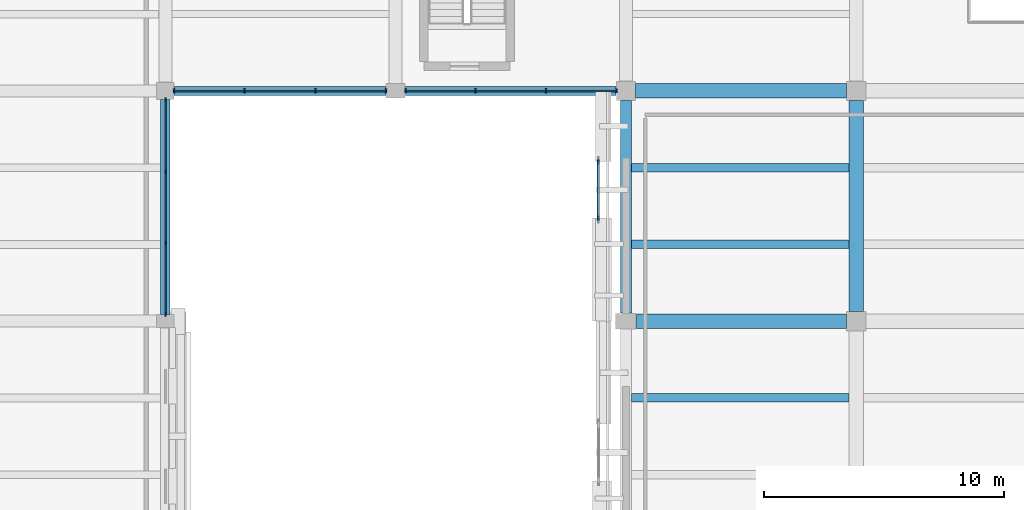
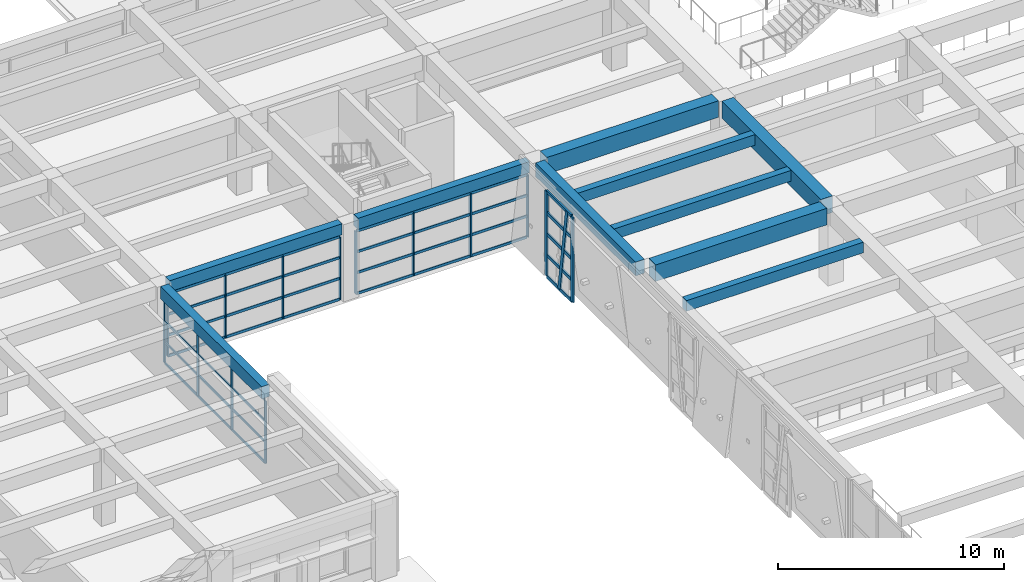
# One storey, part 9 of 49: 32 members, 10 beams, 4 elements without a shape of their own.
"""IFC4 building model written with IfcOpenShell, lengths in metres."""

from ifc_helpers import new_model, si_unit, direction, frame, origin, origin_2d, place, context, subcontext, project, spatial, rectangle, extrude, material, layer, layer_set, material_profile, profile_set, type_object, element, aggregate, save


model = new_model("IFC4")

# Units and contexts
model_context = context("Model", 3, precision=1e-05, world=origin(), true_north=direction((0.0, 1.0)))
body_context = subcontext(model_context, "Body", "Model", "MODEL_VIEW")
ifc_project = project(units=[si_unit("LENGTHUNIT", "METRE"), si_unit("AREAUNIT", "SQUARE_METRE"), si_unit("VOLUMEUNIT", "CUBIC_METRE"), si_unit("PLANEANGLEUNIT", "RADIAN"), si_unit("MASSUNIT", "GRAM", prefix="KILO")], contexts=[model_context])

# Site, building, storey
site_placement = place(None, origin())
site = spatial("IfcSite", under=ifc_project, at=site_placement, CompositionType="ELEMENT")
building_placement = place(site_placement, origin())
building = spatial("IfcBuilding", under=site, at=building_placement, Name="Bempovik Park Faculty of Sciences", CompositionType="ELEMENT")
storey_placement = place(building_placement, frame((0.0, 0.0, 5.39990234375)))
storey = spatial("IfcBuildingStorey", under=building, at=storey_placement, Name="L01", CompositionType="ELEMENT", Elevation=5.39990234375)

# Beams
ifc_material_1 = material(Name="Concrete C35/45", Category="concrete")
ifc_material_profile_1 = material_profile(ifc_material_1, rectangle(XDim=0.3798828125, YDim=0.60009765625, at=origin_2d()), Name="RC 380x600")
ifc_profile_set_1 = profile_set([ifc_material_profile_1], Name="Concrete C35/45")
beam_type_1 = type_object("IfcBeamType", Name="B-032 RC 380x600", PredefinedType="SPANDREL", material=ifc_profile_set_1)
beam_1_placement = place(storey_placement, frame((41.166015625, 67.800048828125, 3.880126953125), z_axis=(1.0, 0.0, 0.0), x_axis=(0.0, 1.0, 0.0)))
element("IfcBeam", 1, at=beam_1_placement, inside=storey, type_object=beam_type_1, Name="L01 Beam X (40.8-50.4, y=67.8)", PredefinedType="SPANDREL", context=body_context, shape_type="SweptSolid", body=[
    extrude(rectangle(XDim=0.3798828125, YDim=0.60009765625, at=origin_2d()), origin(), (0.0, 0.0, 1.0), 8.827880859375),
])
beam_2_placement = place(storey_placement, frame((50.805908203125, 67.800048828125, 3.880126953125), z_axis=(1.0, 0.0, 0.0), x_axis=(0.0, 1.0, 0.0)))
element("IfcBeam", 2, at=beam_2_placement, inside=storey, type_object=beam_type_1, Name="L01 Beam X (50.4-60.0, y=67.8)", PredefinedType="SPANDREL", context=body_context, shape_type="SweptSolid", body=[
    extrude(rectangle(XDim=0.3798828125, YDim=0.60009765625, at=origin_2d()), origin(), (0.0, 0.0, 1.0), 8.7880859375),
])
ifc_material_profile_2 = material_profile(ifc_material_1, rectangle(XDim=0.39990234375, YDim=0.659912109375, at=origin_2d()), Name="RC 400x660")
ifc_profile_set_2 = profile_set([ifc_material_profile_2], Name="Concrete C35/45")
beam_type_2 = type_object("IfcBeamType", Name="B-097 RC 400x660", PredefinedType="SPANDREL", material=ifc_profile_set_2)
beam_3_placement = place(storey_placement, frame((40.800048828125, 58.47607421875, 3.85009765625), z_axis=(0.0, 1.0, 0.0), x_axis=(-1.0, 0.0, 0.0)))
element("IfcBeam", 3, at=beam_3_placement, inside=storey, type_object=beam_type_2, Name="L01 Beam Y (x=40.8, 58.2-67.8)", PredefinedType="SPANDREL", context=body_context, shape_type="SweptSolid", body=[
    extrude(rectangle(XDim=0.39990234375, YDim=0.659912109375, at=origin_2d()), origin(), (0.0, 0.0, 1.0), 8.9580078125),
])
ifc_material_profile_3 = material_profile(ifc_material_1, rectangle(XDim=0.35009765625, YDim=0.580078125, at=origin_2d()), Name="RC 350x580")
ifc_profile_set_3 = profile_set([ifc_material_profile_3], Name="Concrete C35/45")
beam_type_3 = type_object("IfcBeamType", Name="B-107 RC 350x580", PredefinedType="JOIST", material=ifc_profile_set_3)
for number, where, z_axis, x_axis, name in (
    (4, (60.23095703125, 55.0, 3.89013671875), (1.0, 0.0, 0.0), (0.0, 1.0, 0.0), "L01 Secondary Joist (60.0-69.6, y=55.00)"),
    (5, (60.23095703125, 61.39990234375, 3.89013671875), (1.0, 0.0, 0.0), (0.0, 1.0, 0.0), "L01 Secondary Joist (60.0-69.6, y=61.40)"),
    (6, (60.23095703125, 64.60009765625, 3.89013671875), (1.0, 0.0, 0.0), (0.0, 1.0, 0.0), "L01 Secondary Joist (60.0-69.6, y=64.60)"),
):
    element("IfcBeam", number, at=place(storey_placement, frame(where, z_axis=z_axis, x_axis=x_axis)), inside=storey, type_object=beam_type_3, Name=name, PredefinedType="JOIST", context=body_context, shape_type="SweptSolid", body=[
        extrude(rectangle(XDim=0.35009765625, YDim=0.580078125, at=origin_2d()), origin(), (0.0, 0.0, 1.0), 9.06298828125),
    ])
ifc_material_2 = material(Name="Concrete C40/50", Category="concrete")
ifc_material_profile_4 = material_profile(ifc_material_2, rectangle(XDim=0.60009765625, YDim=0.89990234375, at=origin_2d()), Name="RC 600x900")
ifc_profile_set_4 = profile_set([ifc_material_profile_4], Name="Concrete C40/50")
beam_type_4 = type_object("IfcBeamType", Name="B-115 RC 600x900", PredefinedType="BEAM", material=ifc_profile_set_4)
beam_4_placement = place(storey_placement, frame((60.430908203125, 58.199951171875, 3.72998046875), z_axis=(1.0, 0.0, 0.0), x_axis=(0.0, 1.0, 0.0)))
element("IfcBeam", 7, at=beam_4_placement, inside=storey, type_object=beam_type_4, Name="L01 Beam X (60.0-69.6, y=58.2)", PredefinedType="BEAM", context=body_context, shape_type="SweptSolid", body=[
    extrude(rectangle(XDim=0.60009765625, YDim=0.89990234375, at=origin_2d()), origin(), (0.0, 0.0, 1.0), 8.76318359375),
])
for number, where, z_axis, x_axis, name in (
    (8, (60.406005859375, 67.800048828125, 3.72998046875), (1.0, 0.0, 0.0), (0.0, 1.0, 0.0), "L01 Beam X (60.0-69.6, y=67.8)"),
    (9, (69.60009765625, 58.60595703125, 3.72998046875), (0.0, 1.0, 0.0), (-1.0, 0.0, 0.0), "L01 Beam Y (x=69.6, 58.2-67.8)"),
):
    element("IfcBeam", number, at=place(storey_placement, frame(where, z_axis=z_axis, x_axis=x_axis)), inside=storey, type_object=beam_type_4, Name=name, PredefinedType="BEAM", context=body_context, shape_type="SweptSolid", body=[
        extrude(rectangle(XDim=0.60009765625, YDim=0.89990234375, at=origin_2d()), origin(), (0.0, 0.0, 1.0), 8.7880859375),
    ])
ifc_material_profile_5 = material_profile(ifc_material_2, rectangle(XDim=0.449951171875, YDim=0.75, at=origin_2d()), Name="RC 450x750")
ifc_profile_set_5 = profile_set([ifc_material_profile_5], Name="Concrete C40/50")
beam_type_5 = type_object("IfcBeamType", Name="B-130 RC 450x750", PredefinedType="SPANDREL", material=ifc_profile_set_5)
beam_5_placement = place(storey_placement, frame((60.0, 58.531005859375, 3.80517578125), z_axis=(0.0, 1.0, 0.0), x_axis=(-1.0, 0.0, 0.0)))
element("IfcBeam", 10, at=beam_5_placement, inside=storey, type_object=beam_type_5, Name="L01 Beam Y (x=60.0, 58.2-67.8)", PredefinedType="SPANDREL", context=body_context, shape_type="SweptSolid", body=[
    extrude(rectangle(XDim=0.449951171875, YDim=0.75, at=origin_2d()), origin(), (0.0, 0.0, 1.0), 8.863037109375),
])

# Curtain wall, members
ifc_material_3 = material(Name="Tempered laminated low-E glass", Category="glass")
ifc_layer_1 = layer(ifc_material_3, 0.159912109375)
ifc_layer_set_1 = layer_set([ifc_layer_1], Name="Tempered laminated low-E glass")
curtain_wall_type_1 = type_object("IfcCurtainWallType", Name="CW-52 Curtain 6600x4100", PredefinedType="USERDEFINED", material=ifc_layer_set_1)
curtain_wall_1_placement = place(storey_placement, origin())
curtain_wall_1 = element("IfcCurtainWall", 11, at=curtain_wall_1_placement, inside=storey, type_object=curtain_wall_type_1, Name="L01 Unitised Curtain Wall (67.8,40.8)", ObjectType="UNITISED CURTAIN WALL", PredefinedType="USERDEFINED")
ifc_material_4 = material(Name="Anodised architectural bronze", Category="aluminium")
ifc_material_profile_6 = material_profile(ifc_material_4, rectangle(XDim=0.06494140625, YDim=0.169921875, at=origin_2d()), Name="ALU-M 65x170")
ifc_profile_set_6 = profile_set([ifc_material_profile_6], Name="Anodised architectural bronze")
member_type_1 = type_object("IfcMemberType", Name="ML-15 ALU-M 65x170", PredefinedType="MULLION", material=ifc_profile_set_6)
member_1_placement = place(storey_placement, frame((41.162109375, 67.800048828125, 0.0), z_axis=(0.0, 0.0, 1.0), x_axis=(1.0, 0.0, 0.0)))
member_1 = element("IfcMember", 12, at=member_1_placement, type_object=member_type_1, Name="CW-BAY-L01-678-408 Mullion 0", PredefinedType="MULLION", context=body_context, shape_type="SweptSolid", body=[
    extrude(rectangle(XDim=0.06494140625, YDim=0.169921875, at=origin_2d()), origin(), (0.0, 0.0, 1.0), 3.380126953125),
])
member_2_placement = place(storey_placement, frame((44.107421875, 67.800048828125, 0.0), z_axis=(0.0, 0.0, 1.0), x_axis=(1.0, 0.0, 0.0)))
member_2 = element("IfcMember", 13, at=member_2_placement, type_object=member_type_1, Name="CW-BAY-L01-678-408 Mullion 1", PredefinedType="MULLION", context=body_context, shape_type="SweptSolid", body=[
    extrude(rectangle(XDim=0.06494140625, YDim=0.169921875, at=origin_2d()), origin(), (0.0, 0.0, 1.0), 3.380126953125),
])
member_3_placement = place(storey_placement, frame((47.052734375, 67.800048828125, 0.0), z_axis=(0.0, 0.0, 1.0), x_axis=(1.0, 0.0, 0.0)))
member_3 = element("IfcMember", 14, at=member_3_placement, type_object=member_type_1, Name="CW-BAY-L01-678-408 Mullion 2", PredefinedType="MULLION", context=body_context, shape_type="SweptSolid", body=[
    extrude(rectangle(XDim=0.06494140625, YDim=0.169921875, at=origin_2d()), origin(), (0.0, 0.0, 1.0), 3.380126953125),
])
member_4_placement = place(storey_placement, frame((49.998046875, 67.800048828125, 0.0), z_axis=(0.0, 0.0, 1.0), x_axis=(1.0, 0.0, 0.0)))
member_4 = element("IfcMember", 15, at=member_4_placement, type_object=member_type_1, Name="CW-BAY-L01-678-408 Mullion 3", PredefinedType="MULLION", context=body_context, shape_type="SweptSolid", body=[
    extrude(rectangle(XDim=0.06494140625, YDim=0.169921875, at=origin_2d()), origin(), (0.0, 0.0, 1.0), 3.380126953125),
])

curtain_wall_2_placement = place(storey_placement, origin())
curtain_wall_2 = element("IfcCurtainWall", 16, at=curtain_wall_2_placement, inside=storey, type_object=curtain_wall_type_1, Name="L01 Unitised Curtain Wall (67.8,50.4)", ObjectType="UNITISED CURTAIN WALL", PredefinedType="USERDEFINED")
member_5_placement = place(storey_placement, frame((50.802001953125, 67.800048828125, 0.0), z_axis=(0.0, 0.0, 1.0), x_axis=(1.0, 0.0, 0.0)))
member_5 = element("IfcMember", 17, at=member_5_placement, type_object=member_type_1, Name="CW-BAY-L01-678-504 Mullion 0", PredefinedType="MULLION", context=body_context, shape_type="SweptSolid", body=[
    extrude(rectangle(XDim=0.06494140625, YDim=0.169921875, at=origin_2d()), origin(), (0.0, 0.0, 1.0), 3.380126953125),
])
member_6_placement = place(storey_placement, frame((53.73388671875, 67.800048828125, 0.0), z_axis=(0.0, 0.0, 1.0), x_axis=(1.0, 0.0, 0.0)))
member_6 = element("IfcMember", 18, at=member_6_placement, type_object=member_type_1, Name="CW-BAY-L01-678-504 Mullion 1", PredefinedType="MULLION", context=body_context, shape_type="SweptSolid", body=[
    extrude(rectangle(XDim=0.06494140625, YDim=0.169921875, at=origin_2d()), origin(), (0.0, 0.0, 1.0), 3.380126953125),
])
member_7_placement = place(storey_placement, frame((56.666015625, 67.800048828125, 0.0), z_axis=(0.0, 0.0, 1.0), x_axis=(1.0, 0.0, 0.0)))
member_7 = element("IfcMember", 19, at=member_7_placement, type_object=member_type_1, Name="CW-BAY-L01-678-504 Mullion 2", PredefinedType="MULLION", context=body_context, shape_type="SweptSolid", body=[
    extrude(rectangle(XDim=0.06494140625, YDim=0.169921875, at=origin_2d()), origin(), (0.0, 0.0, 1.0), 3.380126953125),
])
member_8_placement = place(storey_placement, frame((59.597900390625, 67.800048828125, 0.0), z_axis=(0.0, 0.0, 1.0), x_axis=(1.0, 0.0, 0.0)))
member_8 = element("IfcMember", 20, at=member_8_placement, type_object=member_type_1, Name="CW-BAY-L01-678-504 Mullion 3", PredefinedType="MULLION", context=body_context, shape_type="SweptSolid", body=[
    extrude(rectangle(XDim=0.06494140625, YDim=0.169921875, at=origin_2d()), origin(), (0.0, 0.0, 1.0), 3.380126953125),
])

ifc_layer_2 = layer(ifc_material_3, 0.159912109375)
ifc_layer_set_2 = layer_set([ifc_layer_2], Name="Tempered laminated low-E glass")
curtain_wall_type_2 = type_object("IfcCurtainWallType", Name="CW-42 Curtain 6400x3700", PredefinedType="USERDEFINED", material=ifc_layer_set_2)
curtain_wall_3_placement = place(storey_placement, origin())
curtain_wall_3 = element("IfcCurtainWall", 21, at=curtain_wall_3_placement, inside=storey, type_object=curtain_wall_type_2, Name="L01 Unitised Curtain Wall (40.8,58.2)", ObjectType="UNITISED CURTAIN WALL", PredefinedType="USERDEFINED")
ifc_material_5 = material(Name="Anodised aluminium", Category="aluminium")
ifc_material_profile_7 = material_profile(ifc_material_5, rectangle(XDim=0.06005859375, YDim=0.14501953125, at=origin_2d()), Name="ALU-M 60x145")
ifc_profile_set_7 = profile_set([ifc_material_profile_7], Name="Anodised aluminium")
member_type_2 = type_object("IfcMemberType", Name="ML-22 ALU-M 60x145", PredefinedType="MULLION", material=ifc_profile_set_7)
member_9_placement = place(storey_placement, frame((40.800048828125, 58.471923828125, 0.0), z_axis=(0.0, 0.0, 1.0), x_axis=(1.0, 0.0, 0.0)))
member_9 = element("IfcMember", 22, at=member_9_placement, type_object=member_type_2, Name="CW-BAY-L01-408-582 Mullion 0", PredefinedType="MULLION", context=body_context, shape_type="SweptSolid", body=[
    extrude(rectangle(XDim=0.06005859375, YDim=0.14501953125, at=origin_2d()), origin(), (0.0, 0.0, 1.0), 3.380126953125),
])
member_10_placement = place(storey_placement, frame((40.800048828125, 61.460693359375, 0.0), z_axis=(0.0, 0.0, 1.0), x_axis=(1.0, 0.0, 0.0)))
member_10 = element("IfcMember", 23, at=member_10_placement, type_object=member_type_2, Name="CW-BAY-L01-408-582 Mullion 1", PredefinedType="MULLION", context=body_context, shape_type="SweptSolid", body=[
    extrude(rectangle(XDim=0.06005859375, YDim=0.14501953125, at=origin_2d()), origin(), (0.0, 0.0, 1.0), 3.380126953125),
])
member_11_placement = place(storey_placement, frame((40.800048828125, 64.44921875, 0.0), z_axis=(0.0, 0.0, 1.0), x_axis=(1.0, 0.0, 0.0)))
member_11 = element("IfcMember", 24, at=member_11_placement, type_object=member_type_2, Name="CW-BAY-L01-408-582 Mullion 2", PredefinedType="MULLION", context=body_context, shape_type="SweptSolid", body=[
    extrude(rectangle(XDim=0.06005859375, YDim=0.14501953125, at=origin_2d()), origin(), (0.0, 0.0, 1.0), 3.380126953125),
])
member_12_placement = place(storey_placement, frame((40.800048828125, 67.43798828125, 0.0), z_axis=(0.0, 0.0, 1.0), x_axis=(1.0, 0.0, 0.0)))
member_12 = element("IfcMember", 25, at=member_12_placement, type_object=member_type_2, Name="CW-BAY-L01-408-582 Mullion 3", PredefinedType="MULLION", context=body_context, shape_type="SweptSolid", body=[
    extrude(rectangle(XDim=0.06005859375, YDim=0.14501953125, at=origin_2d()), origin(), (0.0, 0.0, 1.0), 3.380126953125),
])

ifc_layer_3 = layer(ifc_material_3, 0.159912109375)
ifc_layer_set_3 = layer_set([ifc_layer_3], Name="Tempered laminated low-E glass")
curtain_wall_type_3 = type_object("IfcCurtainWallType", Name="CW-59 Curtain 2400x4500", PredefinedType="USERDEFINED", material=ifc_layer_set_3)
curtain_wall_4_placement = place(storey_placement, origin())
curtain_wall_4 = element("IfcCurtainWall", 26, at=curtain_wall_4_placement, inside=storey, type_object=curtain_wall_type_3, Name="L01 Crystal Slantwise Light Fold (60.0,58.2)", ObjectType="UNITISED CURTAIN WALL", PredefinedType="USERDEFINED")
ifc_material_profile_8 = material_profile(ifc_material_4, rectangle(XDim=0.080078125, YDim=0.219970703125, at=origin_2d()), Name="ALU-M 80x220")
ifc_profile_set_8 = profile_set([ifc_material_profile_8], Name="Anodised architectural bronze")
member_type_3 = type_object("IfcMemberType", Name="ML-29 ALU-M 80x220", PredefinedType="MULLION", material=ifc_profile_set_8)
member_13_placement = place(storey_placement, frame((58.853515625, 62.52490234375, -0.039794921875), z_axis=(0.0, 0.0, 1.0), x_axis=(1.0, 0.0, 0.0)))
member_13 = element("IfcMember", 27, at=member_13_placement, type_object=member_type_3, Name="CW-FOLD-L01-600-582 Mullion 0", PredefinedType="MULLION", context=body_context, shape_type="SweptSolid", body=[
    extrude(rectangle(XDim=0.080078125, YDim=0.219970703125, at=origin_2d()), origin(), (0.0, 0.0, 1.0), 4.579833984375),
])
member_14_placement = place(storey_placement, frame((58.853515625, 63.675048828125, -0.039794921875), z_axis=(0.0, -0.14685250525, 0.989158400713), x_axis=(1.0, 0.0, 0.0)))
member_14 = element("IfcMember", 28, at=member_14_placement, type_object=member_type_3, Name="CW-FOLD-L01-600-582 Mullion 1", PredefinedType="MULLION", context=body_context, shape_type="SweptSolid", body=[
    extrude(rectangle(XDim=0.080078125, YDim=0.219970703125, at=origin_2d()), origin(), (0.0, 0.0, 1.0), 4.630126953125),
])
member_15_placement = place(storey_placement, frame((58.853515625, 64.824951171875, -0.039794921875), z_axis=(0.0, 0.0, 1.0), x_axis=(1.0, 0.0, 0.0)))
member_15 = element("IfcMember", 29, at=member_15_placement, type_object=member_type_3, Name="CW-FOLD-L01-600-582 Mullion 2", PredefinedType="MULLION", context=body_context, shape_type="SweptSolid", body=[
    extrude(rectangle(XDim=0.080078125, YDim=0.219970703125, at=origin_2d()), origin(), (0.0, 0.0, 1.0), 4.579833984375),
])

# Member
ifc_material_profile_9 = material_profile(ifc_material_4, rectangle(XDim=0.06494140625, YDim=0.139892578125, at=origin_2d()), Name="ALU-T 65x140")
ifc_profile_set_9 = profile_set([ifc_material_profile_9], Name="Anodised architectural bronze")
member_type_4 = type_object("IfcMemberType", Name="TR-17 ALU-T 65x140", PredefinedType="USERDEFINED", material=ifc_profile_set_9)
member_16_placement = place(storey_placement, frame((41.201904296875, 67.800048828125, 0.0), z_axis=(1.0, 0.0, 0.0), x_axis=(0.0, 1.0, 0.0)))
member_16 = element("IfcMember", 30, at=member_16_placement, type_object=member_type_4, Name="CW-BAY-L01-678-408 Transom 0", ObjectType="TRANSOM", PredefinedType="USERDEFINED", context=body_context, shape_type="SweptSolid", body=[
    extrude(rectangle(XDim=0.06494140625, YDim=0.139892578125, at=origin_2d()), origin(), (0.0, 0.0, 1.0), 8.756103515625),
])

member_17_placement = place(storey_placement, frame((41.201904296875, 67.800048828125, 1.126708984375), z_axis=(1.0, 0.0, 0.0), x_axis=(0.0, 1.0, 0.0)))
member_17 = element("IfcMember", 31, at=member_17_placement, type_object=member_type_4, Name="CW-BAY-L01-678-408 Transom 1", ObjectType="TRANSOM", PredefinedType="USERDEFINED", context=body_context, shape_type="SweptSolid", body=[
    extrude(rectangle(XDim=0.06494140625, YDim=0.139892578125, at=origin_2d()), origin(), (0.0, 0.0, 1.0), 8.756103515625),
])

member_18_placement = place(storey_placement, frame((41.201904296875, 67.800048828125, 2.25341796875), z_axis=(1.0, 0.0, 0.0), x_axis=(0.0, 1.0, 0.0)))
member_18 = element("IfcMember", 32, at=member_18_placement, type_object=member_type_4, Name="CW-BAY-L01-678-408 Transom 2", ObjectType="TRANSOM", PredefinedType="USERDEFINED", context=body_context, shape_type="SweptSolid", body=[
    extrude(rectangle(XDim=0.06494140625, YDim=0.139892578125, at=origin_2d()), origin(), (0.0, 0.0, 1.0), 8.756103515625),
])

member_19_placement = place(storey_placement, frame((41.201904296875, 67.800048828125, 3.380126953125), z_axis=(1.0, 0.0, 0.0), x_axis=(0.0, 1.0, 0.0)))
member_19 = element("IfcMember", 33, at=member_19_placement, type_object=member_type_4, Name="CW-BAY-L01-678-408 Transom 3", ObjectType="TRANSOM", PredefinedType="USERDEFINED", context=body_context, shape_type="SweptSolid", body=[
    extrude(rectangle(XDim=0.06494140625, YDim=0.139892578125, at=origin_2d()), origin(), (0.0, 0.0, 1.0), 8.756103515625),
])

aggregate(curtain_wall_1, [member_1, member_2, member_3, member_4, member_16, member_17, member_18, member_19])

member_20_placement = place(storey_placement, frame((50.842041015625, 67.800048828125, 0.0), z_axis=(1.0, 0.0, 0.0), x_axis=(0.0, 1.0, 0.0)))
member_20 = element("IfcMember", 34, at=member_20_placement, type_object=member_type_4, Name="CW-BAY-L01-678-504 Transom 0", ObjectType="TRANSOM", PredefinedType="USERDEFINED", context=body_context, shape_type="SweptSolid", body=[
    extrude(rectangle(XDim=0.06494140625, YDim=0.139892578125, at=origin_2d()), origin(), (0.0, 0.0, 1.0), 8.716064453125),
])

member_21_placement = place(storey_placement, frame((50.842041015625, 67.800048828125, 1.126708984375), z_axis=(1.0, 0.0, 0.0), x_axis=(0.0, 1.0, 0.0)))
member_21 = element("IfcMember", 35, at=member_21_placement, type_object=member_type_4, Name="CW-BAY-L01-678-504 Transom 1", ObjectType="TRANSOM", PredefinedType="USERDEFINED", context=body_context, shape_type="SweptSolid", body=[
    extrude(rectangle(XDim=0.06494140625, YDim=0.139892578125, at=origin_2d()), origin(), (0.0, 0.0, 1.0), 8.716064453125),
])

member_22_placement = place(storey_placement, frame((50.842041015625, 67.800048828125, 2.25341796875), z_axis=(1.0, 0.0, 0.0), x_axis=(0.0, 1.0, 0.0)))
member_22 = element("IfcMember", 36, at=member_22_placement, type_object=member_type_4, Name="CW-BAY-L01-678-504 Transom 2", ObjectType="TRANSOM", PredefinedType="USERDEFINED", context=body_context, shape_type="SweptSolid", body=[
    extrude(rectangle(XDim=0.06494140625, YDim=0.139892578125, at=origin_2d()), origin(), (0.0, 0.0, 1.0), 8.716064453125),
])

member_23_placement = place(storey_placement, frame((50.842041015625, 67.800048828125, 3.380126953125), z_axis=(1.0, 0.0, 0.0), x_axis=(0.0, 1.0, 0.0)))
member_23 = element("IfcMember", 37, at=member_23_placement, type_object=member_type_4, Name="CW-BAY-L01-678-504 Transom 3", ObjectType="TRANSOM", PredefinedType="USERDEFINED", context=body_context, shape_type="SweptSolid", body=[
    extrude(rectangle(XDim=0.06494140625, YDim=0.139892578125, at=origin_2d()), origin(), (0.0, 0.0, 1.0), 8.716064453125),
])

aggregate(curtain_wall_2, [member_5, member_6, member_7, member_8, member_20, member_21, member_22, member_23])

ifc_material_profile_10 = material_profile(ifc_material_4, rectangle(XDim=0.080078125, YDim=0.179931640625, at=origin_2d()), Name="ALU-T 80x180")
ifc_profile_set_10 = profile_set([ifc_material_profile_10], Name="Anodised architectural bronze")
member_type_5 = type_object("IfcMemberType", Name="TR-29 ALU-T 80x180", PredefinedType="USERDEFINED", material=ifc_profile_set_10)
member_24_placement = place(storey_placement, frame((58.853515625, 62.56494140625, -0.039794921875), z_axis=(0.0, 1.0, 0.0), x_axis=(-1.0, 0.0, 0.0)))
member_24 = element("IfcMember", 38, at=member_24_placement, type_object=member_type_5, Name="CW-FOLD-L01-600-582 Transom 0", ObjectType="TRANSOM", PredefinedType="USERDEFINED", context=body_context, shape_type="SweptSolid", body=[
    extrude(rectangle(XDim=0.080078125, YDim=0.179931640625, at=origin_2d()), origin(), (0.0, 0.0, 1.0), 2.219970703125),
])

member_25_placement = place(storey_placement, frame((58.853515625, 62.56494140625, 1.10498046875), z_axis=(0.0, 1.0, 0.0), x_axis=(-1.0, 0.0, 0.0)))
member_25 = element("IfcMember", 39, at=member_25_placement, type_object=member_type_5, Name="CW-FOLD-L01-600-582 Transom 1", ObjectType="TRANSOM", PredefinedType="USERDEFINED", context=body_context, shape_type="SweptSolid", body=[
    extrude(rectangle(XDim=0.080078125, YDim=0.179931640625, at=origin_2d()), origin(), (0.0, 0.0, 1.0), 2.219970703125),
])

member_26_placement = place(storey_placement, frame((58.853515625, 62.56494140625, 2.25), z_axis=(0.0, 1.0, 0.0), x_axis=(-1.0, 0.0, 0.0)))
member_26 = element("IfcMember", 40, at=member_26_placement, type_object=member_type_5, Name="CW-FOLD-L01-600-582 Transom 2", ObjectType="TRANSOM", PredefinedType="USERDEFINED", context=body_context, shape_type="SweptSolid", body=[
    extrude(rectangle(XDim=0.080078125, YDim=0.179931640625, at=origin_2d()), origin(), (0.0, 0.0, 1.0), 2.219970703125),
])

member_27_placement = place(storey_placement, frame((58.853515625, 62.56494140625, 3.39501953125), z_axis=(0.0, 1.0, 0.0), x_axis=(-1.0, 0.0, 0.0)))
member_27 = element("IfcMember", 41, at=member_27_placement, type_object=member_type_5, Name="CW-FOLD-L01-600-582 Transom 3", ObjectType="TRANSOM", PredefinedType="USERDEFINED", context=body_context, shape_type="SweptSolid", body=[
    extrude(rectangle(XDim=0.080078125, YDim=0.179931640625, at=origin_2d()), origin(), (0.0, 0.0, 1.0), 2.219970703125),
])

member_28_placement = place(storey_placement, frame((58.853515625, 62.56494140625, 4.5400390625), z_axis=(0.0, 1.0, 0.0), x_axis=(-1.0, 0.0, 0.0)))
member_28 = element("IfcMember", 42, at=member_28_placement, type_object=member_type_5, Name="CW-FOLD-L01-600-582 Transom 4", ObjectType="TRANSOM", PredefinedType="USERDEFINED", context=body_context, shape_type="SweptSolid", body=[
    extrude(rectangle(XDim=0.080078125, YDim=0.179931640625, at=origin_2d()), origin(), (0.0, 0.0, 1.0), 2.219970703125),
])

aggregate(curtain_wall_4, [member_13, member_14, member_15, member_24, member_25, member_26, member_27, member_28])

ifc_material_profile_11 = material_profile(ifc_material_5, rectangle(XDim=0.06005859375, YDim=0.1201171875, at=origin_2d()), Name="ALU-T 60x120")
ifc_profile_set_11 = profile_set([ifc_material_profile_11], Name="Anodised aluminium")
member_type_6 = type_object("IfcMemberType", Name="TR-30 ALU-T 60x120", PredefinedType="USERDEFINED", material=ifc_profile_set_11)
member_29_placement = place(storey_placement, frame((40.800048828125, 58.511962890625, 0.0), z_axis=(0.0, 1.0, 0.0), x_axis=(-1.0, 0.0, 0.0)))
member_29 = element("IfcMember", 43, at=member_29_placement, type_object=member_type_6, Name="CW-BAY-L01-408-582 Transom 0", ObjectType="TRANSOM", PredefinedType="USERDEFINED", context=body_context, shape_type="SweptSolid", body=[
    extrude(rectangle(XDim=0.06005859375, YDim=0.1201171875, at=origin_2d()), origin(), (0.0, 0.0, 1.0), 8.885986328125),
])

member_30_placement = place(storey_placement, frame((40.800048828125, 58.511962890625, 1.126708984375), z_axis=(0.0, 1.0, 0.0), x_axis=(-1.0, 0.0, 0.0)))
member_30 = element("IfcMember", 44, at=member_30_placement, type_object=member_type_6, Name="CW-BAY-L01-408-582 Transom 1", ObjectType="TRANSOM", PredefinedType="USERDEFINED", context=body_context, shape_type="SweptSolid", body=[
    extrude(rectangle(XDim=0.06005859375, YDim=0.1201171875, at=origin_2d()), origin(), (0.0, 0.0, 1.0), 8.885986328125),
])

member_31_placement = place(storey_placement, frame((40.800048828125, 58.511962890625, 2.25341796875), z_axis=(0.0, 1.0, 0.0), x_axis=(-1.0, 0.0, 0.0)))
member_31 = element("IfcMember", 45, at=member_31_placement, type_object=member_type_6, Name="CW-BAY-L01-408-582 Transom 2", ObjectType="TRANSOM", PredefinedType="USERDEFINED", context=body_context, shape_type="SweptSolid", body=[
    extrude(rectangle(XDim=0.06005859375, YDim=0.1201171875, at=origin_2d()), origin(), (0.0, 0.0, 1.0), 8.885986328125),
])

member_32_placement = place(storey_placement, frame((40.800048828125, 58.511962890625, 3.380126953125), z_axis=(0.0, 1.0, 0.0), x_axis=(-1.0, 0.0, 0.0)))
member_32 = element("IfcMember", 46, at=member_32_placement, type_object=member_type_6, Name="CW-BAY-L01-408-582 Transom 3", ObjectType="TRANSOM", PredefinedType="USERDEFINED", context=body_context, shape_type="SweptSolid", body=[
    extrude(rectangle(XDim=0.06005859375, YDim=0.1201171875, at=origin_2d()), origin(), (0.0, 0.0, 1.0), 8.885986328125),
])

aggregate(curtain_wall_3, [member_9, member_10, member_11, member_12, member_29, member_30, member_31, member_32])

save(model, "model.ifc")
